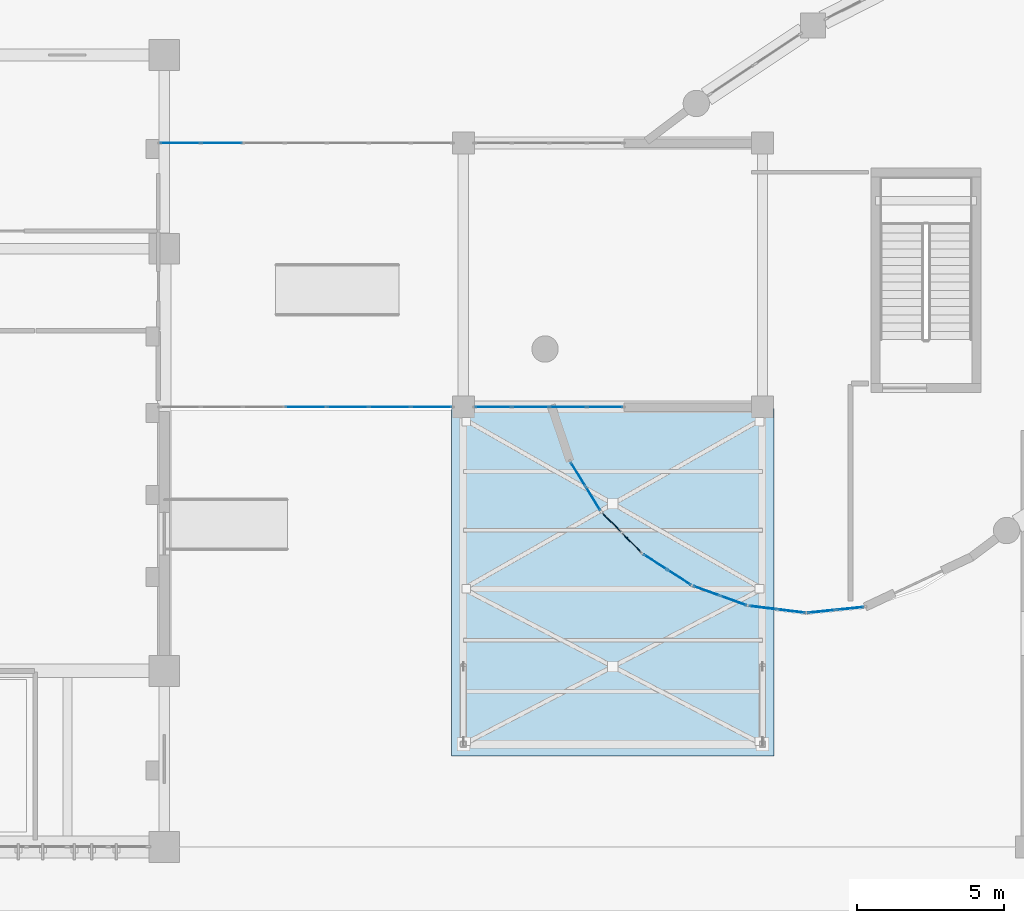
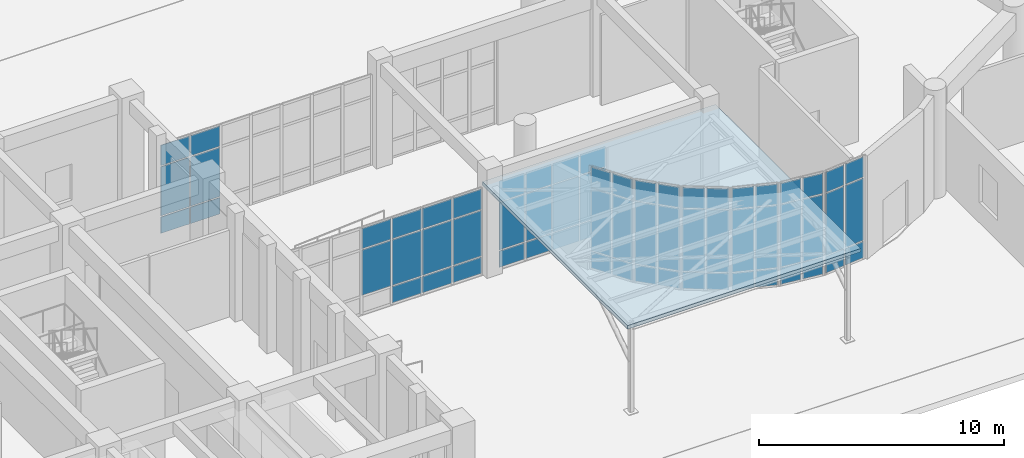
# One storey, part 37 of 70: 65 plates, 1 slab, 9 elements without a shape of their own.
"""IFC4 building model written with IfcOpenShell, lengths in metres."""

from ifc_helpers import new_model, si_unit, direction, frame, origin, origin_2d, place, context, subcontext, project, spatial, polyline, rectangle, outline, extrude, material, layer, layer_set, type_object, element, aggregate, save


model = new_model("IFC4")

# Units and contexts
model_context = context("Model", 3, precision=1e-05, world=origin(), true_north=direction((0.0, 1.0)))
body_context = subcontext(model_context, "Body", "Model", "MODEL_VIEW")
ifc_project = project(units=[si_unit("LENGTHUNIT", "METRE"), si_unit("AREAUNIT", "SQUARE_METRE"), si_unit("VOLUMEUNIT", "CUBIC_METRE"), si_unit("PLANEANGLEUNIT", "RADIAN"), si_unit("MASSUNIT", "GRAM", prefix="KILO")], contexts=[model_context])

# Site, building, storey
site_placement = place(None, origin())
site = spatial("IfcSite", under=ifc_project, at=site_placement, CompositionType="ELEMENT")
building_placement = place(site_placement, origin())
building = spatial("IfcBuilding", under=site, at=building_placement, Name="Miralva Faculty of Natural Sciences", CompositionType="ELEMENT")
storey_placement = place(building_placement, origin())
storey = spatial("IfcBuildingStorey", under=building, at=storey_placement, Name="L00", CompositionType="ELEMENT", Elevation=0.0)

# Curtain wall, plates
ifc_material_1 = material(Name="Laminated solar-control glass", Category="glass")
ifc_layer_1 = layer(ifc_material_1, 0.179931640625, Name="CW-RND-L00")
ifc_layer_set_1 = layer_set([ifc_layer_1], Name="Laminated solar-control glass")
curtain_wall_type_1 = type_object("IfcCurtainWallType", Name="CW-RND-L00", PredefinedType="USERDEFINED", material=ifc_layer_set_1)
curtain_wall_1_placement = place(storey_placement, origin())
curtain_wall_1 = element("IfcCurtainWall", 1, at=curtain_wall_1_placement, inside=storey, type_object=curtain_wall_type_1, Name="Curtain wall CW-04 L00-15", ObjectType="UNITISED CURTAIN WALL", PredefinedType="USERDEFINED")
ifc_layer_2 = layer(ifc_material_1, 0.028076171875, Name="PNL-P01")
ifc_layer_set_2 = layer_set([ifc_layer_2], Name="Laminated solar-control glass")
plate_type = type_object("IfcPlateType", Name="PNL-P01", PredefinedType="CURTAIN_PANEL", material=ifc_layer_set_2)
plate_1_placement = place(storey_placement, frame((58.41455078125, 11.0302734375, 0.06005859375), z_axis=(0.0, 0.0, 1.0), x_axis=(0.994778604482, 0.102056494477, 0.0)))
plate_1 = element("IfcPlate", 2, at=plate_1_placement, type_object=plate_type, Name="CW-04 panel 1.1", PredefinedType="CURTAIN_PANEL", context=body_context, shape_type="SweptSolid", body=[
    extrude(rectangle(XDim=0.912841796875, YDim=0.028076171875, at=origin_2d()), origin(), (0.0, 0.0, 1.0), 0.81005859375),
])
plate_2_placement = place(storey_placement, frame((58.41455078125, 11.0302734375, 0.93017578125), z_axis=(0.0, 0.0, 1.0), x_axis=(0.994778604482, 0.102056494477, 0.0)))
plate_2 = element("IfcPlate", 3, at=plate_2_placement, type_object=plate_type, Name="CW-04 panel 1.2", PredefinedType="CURTAIN_PANEL", context=body_context, shape_type="SweptSolid", body=[
    extrude(rectangle(XDim=0.912841796875, YDim=0.028076171875, at=origin_2d()), origin(), (0.0, 0.0, 1.0), 3.090087890625),
])
plate_3_placement = place(storey_placement, frame((58.41455078125, 11.0302734375, 4.080078125), z_axis=(0.0, 0.0, 1.0), x_axis=(0.994778604482, 0.102056494477, 0.0)))
plate_3 = element("IfcPlate", 4, at=plate_3_placement, type_object=plate_type, Name="CW-04 panel 1.3", PredefinedType="CURTAIN_PANEL", context=body_context, shape_type="SweptSolid", body=[
    extrude(rectangle(XDim=0.912841796875, YDim=0.028076171875, at=origin_2d()), origin(), (0.0, 0.0, 1.0), 1.010009765625),
])
plate_4_placement = place(storey_placement, frame((59.386962890625, 11.1298828125, 0.06005859375), z_axis=(0.0, 0.0, 1.0), x_axis=(0.994778604482, 0.102056494477, 0.0)))
plate_4 = element("IfcPlate", 5, at=plate_4_placement, type_object=plate_type, Name="CW-04 panel 2.1", PredefinedType="CURTAIN_PANEL", context=body_context, shape_type="SweptSolid", body=[
    extrude(rectangle(XDim=0.912841796875, YDim=0.028076171875, at=origin_2d()), origin(), (0.0, 0.0, 1.0), 0.81005859375),
])
plate_5_placement = place(storey_placement, frame((59.386962890625, 11.1298828125, 0.93017578125), z_axis=(0.0, 0.0, 1.0), x_axis=(0.994778604482, 0.102056494477, 0.0)))
plate_5 = element("IfcPlate", 6, at=plate_5_placement, type_object=plate_type, Name="CW-04 panel 2.2", PredefinedType="CURTAIN_PANEL", context=body_context, shape_type="SweptSolid", body=[
    extrude(rectangle(XDim=0.912841796875, YDim=0.028076171875, at=origin_2d()), origin(), (0.0, 0.0, 1.0), 3.090087890625),
])
plate_6_placement = place(storey_placement, frame((59.386962890625, 11.1298828125, 4.080078125), z_axis=(0.0, 0.0, 1.0), x_axis=(0.994778604482, 0.102056494477, 0.0)))
plate_6 = element("IfcPlate", 7, at=plate_6_placement, type_object=plate_type, Name="CW-04 panel 2.3", PredefinedType="CURTAIN_PANEL", context=body_context, shape_type="SweptSolid", body=[
    extrude(rectangle(XDim=0.912841796875, YDim=0.028076171875, at=origin_2d()), origin(), (0.0, 0.0, 1.0), 1.010009765625),
])
aggregate(curtain_wall_1, [plate_1, plate_2, plate_3, plate_4, plate_5, plate_6])

curtain_wall_2_placement = place(storey_placement, origin())
curtain_wall_2 = element("IfcCurtainWall", 8, at=curtain_wall_2_placement, inside=storey, type_object=curtain_wall_type_1, Name="Curtain wall CW-04 L00-16", ObjectType="UNITISED CURTAIN WALL", PredefinedType="USERDEFINED")
plate_7_placement = place(storey_placement, frame((56.412841796875, 11.1591796875, 0.06005859375), z_axis=(0.0, 0.0, 1.0), x_axis=(0.99254734183, -0.121859649701, 0.0)))
plate_7 = element("IfcPlate", 9, at=plate_7_placement, type_object=plate_type, Name="CW-04 panel 1.1", PredefinedType="CURTAIN_PANEL", context=body_context, shape_type="SweptSolid", body=[
    extrude(rectangle(XDim=0.91259765625, YDim=0.028076171875, at=origin_2d()), origin(), (0.0, 0.0, 1.0), 0.81005859375),
])
plate_8_placement = place(storey_placement, frame((56.412841796875, 11.1591796875, 0.93017578125), z_axis=(0.0, 0.0, 1.0), x_axis=(0.99254734183, -0.121859649701, 0.0)))
plate_8 = element("IfcPlate", 10, at=plate_8_placement, type_object=plate_type, Name="CW-04 panel 1.2", PredefinedType="CURTAIN_PANEL", context=body_context, shape_type="SweptSolid", body=[
    extrude(rectangle(XDim=0.91259765625, YDim=0.028076171875, at=origin_2d()), origin(), (0.0, 0.0, 1.0), 3.090087890625),
])
plate_9_placement = place(storey_placement, frame((56.412841796875, 11.1591796875, 4.080078125), z_axis=(0.0, 0.0, 1.0), x_axis=(0.99254734183, -0.121859649701, 0.0)))
plate_9 = element("IfcPlate", 11, at=plate_9_placement, type_object=plate_type, Name="CW-04 panel 1.3", PredefinedType="CURTAIN_PANEL", context=body_context, shape_type="SweptSolid", body=[
    extrude(rectangle(XDim=0.91259765625, YDim=0.028076171875, at=origin_2d()), origin(), (0.0, 0.0, 1.0), 1.010009765625),
])
plate_10_placement = place(storey_placement, frame((57.38330078125, 11.0400390625, 0.06005859375), z_axis=(0.0, 0.0, 1.0), x_axis=(0.99254734183, -0.121859649701, 0.0)))
plate_10 = element("IfcPlate", 12, at=plate_10_placement, type_object=plate_type, Name="CW-04 panel 2.1", PredefinedType="CURTAIN_PANEL", context=body_context, shape_type="SweptSolid", body=[
    extrude(rectangle(XDim=0.91259765625, YDim=0.028076171875, at=origin_2d()), origin(), (0.0, 0.0, 1.0), 0.81005859375),
])
plate_11_placement = place(storey_placement, frame((57.38330078125, 11.0400390625, 0.93017578125), z_axis=(0.0, 0.0, 1.0), x_axis=(0.99254734183, -0.121859649701, 0.0)))
plate_11 = element("IfcPlate", 13, at=plate_11_placement, type_object=plate_type, Name="CW-04 panel 2.2", PredefinedType="CURTAIN_PANEL", context=body_context, shape_type="SweptSolid", body=[
    extrude(rectangle(XDim=0.91259765625, YDim=0.028076171875, at=origin_2d()), origin(), (0.0, 0.0, 1.0), 3.090087890625),
])
plate_12_placement = place(storey_placement, frame((57.38330078125, 11.0400390625, 4.080078125), z_axis=(0.0, 0.0, 1.0), x_axis=(0.99254734183, -0.121859649701, 0.0)))
plate_12 = element("IfcPlate", 14, at=plate_12_placement, type_object=plate_type, Name="CW-04 panel 2.3", PredefinedType="CURTAIN_PANEL", context=body_context, shape_type="SweptSolid", body=[
    extrude(rectangle(XDim=0.91259765625, YDim=0.028076171875, at=origin_2d()), origin(), (0.0, 0.0, 1.0), 1.010009765625),
])
aggregate(curtain_wall_2, [plate_7, plate_8, plate_9, plate_10, plate_11, plate_12])

curtain_wall_3_placement = place(storey_placement, origin())
curtain_wall_3 = element("IfcCurtainWall", 15, at=curtain_wall_3_placement, inside=storey, type_object=curtain_wall_type_1, Name="Curtain wall CW-04 L00-17", ObjectType="UNITISED CURTAIN WALL", PredefinedType="USERDEFINED")
plate_13_placement = place(storey_placement, frame((54.490234375, 11.730224609375, 0.06005859375), z_axis=(0.0, 0.0, 1.0), x_axis=(0.940535451088, -0.339695547876, 0.0)))
plate_13 = element("IfcPlate", 16, at=plate_13_placement, type_object=plate_type, Name="CW-04 panel 1.1", PredefinedType="CURTAIN_PANEL", context=body_context, shape_type="SweptSolid", body=[
    extrude(rectangle(XDim=0.91259765625, YDim=0.028076171875, at=origin_2d()), origin(), (0.0, 0.0, 1.0), 0.81005859375),
])
plate_14_placement = place(storey_placement, frame((54.490234375, 11.730224609375, 0.93017578125), z_axis=(0.0, 0.0, 1.0), x_axis=(0.940535451088, -0.339695547876, 0.0)))
plate_14 = element("IfcPlate", 17, at=plate_14_placement, type_object=plate_type, Name="CW-04 panel 1.2", PredefinedType="CURTAIN_PANEL", context=body_context, shape_type="SweptSolid", body=[
    extrude(rectangle(XDim=0.91259765625, YDim=0.028076171875, at=origin_2d()), origin(), (0.0, 0.0, 1.0), 3.090087890625),
])
plate_15_placement = place(storey_placement, frame((54.490234375, 11.730224609375, 4.080078125), z_axis=(0.0, 0.0, 1.0), x_axis=(0.940535451088, -0.339695547876, 0.0)))
plate_15 = element("IfcPlate", 18, at=plate_15_placement, type_object=plate_type, Name="CW-04 panel 1.3", PredefinedType="CURTAIN_PANEL", context=body_context, shape_type="SweptSolid", body=[
    extrude(rectangle(XDim=0.91259765625, YDim=0.028076171875, at=origin_2d()), origin(), (0.0, 0.0, 1.0), 1.010009765625),
])
plate_16_placement = place(storey_placement, frame((55.409912109375, 11.39794921875, 0.06005859375), z_axis=(0.0, 0.0, 1.0), x_axis=(0.940535451088, -0.339695547876, 0.0)))
plate_16 = element("IfcPlate", 19, at=plate_16_placement, type_object=plate_type, Name="CW-04 panel 2.1", PredefinedType="CURTAIN_PANEL", context=body_context, shape_type="SweptSolid", body=[
    extrude(rectangle(XDim=0.91259765625, YDim=0.028076171875, at=origin_2d()), origin(), (0.0, 0.0, 1.0), 0.81005859375),
])
plate_17_placement = place(storey_placement, frame((55.409912109375, 11.39794921875, 0.93017578125), z_axis=(0.0, 0.0, 1.0), x_axis=(0.940535451088, -0.339695547876, 0.0)))
plate_17 = element("IfcPlate", 20, at=plate_17_placement, type_object=plate_type, Name="CW-04 panel 2.2", PredefinedType="CURTAIN_PANEL", context=body_context, shape_type="SweptSolid", body=[
    extrude(rectangle(XDim=0.91259765625, YDim=0.028076171875, at=origin_2d()), origin(), (0.0, 0.0, 1.0), 3.090087890625),
])
plate_18_placement = place(storey_placement, frame((55.409912109375, 11.39794921875, 4.080078125), z_axis=(0.0, 0.0, 1.0), x_axis=(0.940535451088, -0.339695547876, 0.0)))
plate_18 = element("IfcPlate", 21, at=plate_18_placement, type_object=plate_type, Name="CW-04 panel 2.3", PredefinedType="CURTAIN_PANEL", context=body_context, shape_type="SweptSolid", body=[
    extrude(rectangle(XDim=0.91259765625, YDim=0.028076171875, at=origin_2d()), origin(), (0.0, 0.0, 1.0), 1.010009765625),
])
aggregate(curtain_wall_3, [plate_13, plate_14, plate_15, plate_16, plate_17, plate_18])

curtain_wall_4_placement = place(storey_placement, origin())
curtain_wall_4 = element("IfcCurtainWall", 22, at=curtain_wall_4_placement, inside=storey, type_object=curtain_wall_type_1, Name="Curtain wall CW-04 L00-18", ObjectType="UNITISED CURTAIN WALL", PredefinedType="USERDEFINED")
plate_19_placement = place(storey_placement, frame((52.742919921875, 12.714599609375, 0.06005859375), z_axis=(0.0, 0.0, 1.0), x_axis=(0.841379438185, -0.540444854725, 0.0)))
plate_19 = element("IfcPlate", 23, at=plate_19_placement, type_object=plate_type, Name="CW-04 panel 1.1", PredefinedType="CURTAIN_PANEL", context=body_context, shape_type="SweptSolid", body=[
    extrude(rectangle(XDim=0.91259765625, YDim=0.028076171875, at=origin_2d()), origin(), (0.0, 0.0, 1.0), 0.81005859375),
])
plate_20_placement = place(storey_placement, frame((52.742919921875, 12.714599609375, 0.93017578125), z_axis=(0.0, 0.0, 1.0), x_axis=(0.841379438185, -0.540444854725, 0.0)))
plate_20 = element("IfcPlate", 24, at=plate_20_placement, type_object=plate_type, Name="CW-04 panel 1.2", PredefinedType="CURTAIN_PANEL", context=body_context, shape_type="SweptSolid", body=[
    extrude(rectangle(XDim=0.91259765625, YDim=0.028076171875, at=origin_2d()), origin(), (0.0, 0.0, 1.0), 3.090087890625),
])
plate_21_placement = place(storey_placement, frame((52.742919921875, 12.714599609375, 4.080078125), z_axis=(0.0, 0.0, 1.0), x_axis=(0.841379438185, -0.540444854725, 0.0)))
plate_21 = element("IfcPlate", 25, at=plate_21_placement, type_object=plate_type, Name="CW-04 panel 1.3", PredefinedType="CURTAIN_PANEL", context=body_context, shape_type="SweptSolid", body=[
    extrude(rectangle(XDim=0.91259765625, YDim=0.028076171875, at=origin_2d()), origin(), (0.0, 0.0, 1.0), 1.010009765625),
])
plate_22_placement = place(storey_placement, frame((53.565673828125, 12.186279296875, 0.06005859375), z_axis=(0.0, 0.0, 1.0), x_axis=(0.841379438185, -0.540444854725, 0.0)))
plate_22 = element("IfcPlate", 26, at=plate_22_placement, type_object=plate_type, Name="CW-04 panel 2.1", PredefinedType="CURTAIN_PANEL", context=body_context, shape_type="SweptSolid", body=[
    extrude(rectangle(XDim=0.91259765625, YDim=0.028076171875, at=origin_2d()), origin(), (0.0, 0.0, 1.0), 0.81005859375),
])
plate_23_placement = place(storey_placement, frame((53.565673828125, 12.186279296875, 0.93017578125), z_axis=(0.0, 0.0, 1.0), x_axis=(0.841379438185, -0.540444854725, 0.0)))
plate_23 = element("IfcPlate", 27, at=plate_23_placement, type_object=plate_type, Name="CW-04 panel 2.2", PredefinedType="CURTAIN_PANEL", context=body_context, shape_type="SweptSolid", body=[
    extrude(rectangle(XDim=0.91259765625, YDim=0.028076171875, at=origin_2d()), origin(), (0.0, 0.0, 1.0), 3.090087890625),
])
plate_24_placement = place(storey_placement, frame((53.565673828125, 12.186279296875, 4.080078125), z_axis=(0.0, 0.0, 1.0), x_axis=(0.841379438185, -0.540444854725, 0.0)))
plate_24 = element("IfcPlate", 28, at=plate_24_placement, type_object=plate_type, Name="CW-04 panel 2.3", PredefinedType="CURTAIN_PANEL", context=body_context, shape_type="SweptSolid", body=[
    extrude(rectangle(XDim=0.91259765625, YDim=0.028076171875, at=origin_2d()), origin(), (0.0, 0.0, 1.0), 1.010009765625),
])
aggregate(curtain_wall_4, [plate_19, plate_20, plate_21, plate_22, plate_23, plate_24])

curtain_wall_5_placement = place(storey_placement, origin())
curtain_wall_5 = element("IfcCurtainWall", 29, at=curtain_wall_5_placement, inside=storey, type_object=curtain_wall_type_1, Name="Curtain wall CW-04 L00-19", ObjectType="UNITISED CURTAIN WALL", PredefinedType="USERDEFINED")
plate_25_placement = place(storey_placement, frame((51.258544921875, 14.063232421875, 0.06005859375), z_axis=(0.0, 0.0, 1.0), x_axis=(0.700018458929, -0.714124749017, 0.0)))
plate_25 = element("IfcPlate", 30, at=plate_25_placement, type_object=plate_type, Name="CW-04 panel 1.1", PredefinedType="CURTAIN_PANEL", context=body_context, shape_type="SweptSolid", body=[
    extrude(rectangle(XDim=0.91259765625, YDim=0.028076171875, at=origin_2d()), origin(), (0.0, 0.0, 1.0), 0.81005859375),
])
plate_26_placement = place(storey_placement, frame((51.258544921875, 14.063232421875, 0.93017578125), z_axis=(0.0, 0.0, 1.0), x_axis=(0.700018458929, -0.714124749017, 0.0)))
plate_26 = element("IfcPlate", 31, at=plate_26_placement, type_object=plate_type, Name="CW-04 panel 1.2", PredefinedType="CURTAIN_PANEL", context=body_context, shape_type="SweptSolid", body=[
    extrude(rectangle(XDim=0.91259765625, YDim=0.028076171875, at=origin_2d()), origin(), (0.0, 0.0, 1.0), 3.090087890625),
])
plate_27_placement = place(storey_placement, frame((51.258544921875, 14.063232421875, 4.080078125), z_axis=(0.0, 0.0, 1.0), x_axis=(0.700018458929, -0.714124749017, 0.0)))
plate_27 = element("IfcPlate", 32, at=plate_27_placement, type_object=plate_type, Name="CW-04 panel 1.3", PredefinedType="CURTAIN_PANEL", context=body_context, shape_type="SweptSolid", body=[
    extrude(rectangle(XDim=0.91259765625, YDim=0.028076171875, at=origin_2d()), origin(), (0.0, 0.0, 1.0), 1.010009765625),
])
plate_28_placement = place(storey_placement, frame((51.94287109375, 13.364990234375, 0.06005859375), z_axis=(0.0, 0.0, 1.0), x_axis=(0.700018458929, -0.714124749017, 0.0)))
plate_28 = element("IfcPlate", 33, at=plate_28_placement, type_object=plate_type, Name="CW-04 panel 2.1", PredefinedType="CURTAIN_PANEL", context=body_context, shape_type="SweptSolid", body=[
    extrude(rectangle(XDim=0.91259765625, YDim=0.028076171875, at=origin_2d()), origin(), (0.0, 0.0, 1.0), 0.81005859375),
])
plate_29_placement = place(storey_placement, frame((51.94287109375, 13.364990234375, 0.93017578125), z_axis=(0.0, 0.0, 1.0), x_axis=(0.700018458929, -0.714124749017, 0.0)))
plate_29 = element("IfcPlate", 34, at=plate_29_placement, type_object=plate_type, Name="CW-04 panel 2.2", PredefinedType="CURTAIN_PANEL", context=body_context, shape_type="SweptSolid", body=[
    extrude(rectangle(XDim=0.91259765625, YDim=0.028076171875, at=origin_2d()), origin(), (0.0, 0.0, 1.0), 3.090087890625),
])
plate_30_placement = place(storey_placement, frame((51.94287109375, 13.364990234375, 4.080078125), z_axis=(0.0, 0.0, 1.0), x_axis=(0.700018458929, -0.714124749017, 0.0)))
plate_30 = element("IfcPlate", 35, at=plate_30_placement, type_object=plate_type, Name="CW-04 panel 2.3", PredefinedType="CURTAIN_PANEL", context=body_context, shape_type="SweptSolid", body=[
    extrude(rectangle(XDim=0.91259765625, YDim=0.028076171875, at=origin_2d()), origin(), (0.0, 0.0, 1.0), 1.010009765625),
])
aggregate(curtain_wall_5, [plate_25, plate_26, plate_27, plate_28, plate_29, plate_30])

curtain_wall_6_placement = place(storey_placement, origin())
curtain_wall_6 = element("IfcCurtainWall", 36, at=curtain_wall_6_placement, inside=storey, type_object=curtain_wall_type_1, Name="Curtain wall CW-04 L00-20", ObjectType="UNITISED CURTAIN WALL", PredefinedType="USERDEFINED")
plate_31_placement = place(storey_placement, frame((50.111328125, 15.70849609375, 0.06005859375), z_axis=(0.0, 0.0, 1.0), x_axis=(0.523550543884, -0.851994617353, 0.0)))
plate_31 = element("IfcPlate", 37, at=plate_31_placement, type_object=plate_type, Name="CW-04 panel 1.1", PredefinedType="CURTAIN_PANEL", context=body_context, shape_type="SweptSolid", body=[
    extrude(rectangle(XDim=0.91259765625, YDim=0.028076171875, at=origin_2d()), origin(), (0.0, 0.0, 1.0), 0.81005859375),
])
plate_32_placement = place(storey_placement, frame((50.111328125, 15.70849609375, 0.93017578125), z_axis=(0.0, 0.0, 1.0), x_axis=(0.523550543884, -0.851994617353, 0.0)))
plate_32 = element("IfcPlate", 38, at=plate_32_placement, type_object=plate_type, Name="CW-04 panel 1.2", PredefinedType="CURTAIN_PANEL", context=body_context, shape_type="SweptSolid", body=[
    extrude(rectangle(XDim=0.91259765625, YDim=0.028076171875, at=origin_2d()), origin(), (0.0, 0.0, 1.0), 3.090087890625),
])
plate_33_placement = place(storey_placement, frame((50.111328125, 15.70849609375, 4.080078125), z_axis=(0.0, 0.0, 1.0), x_axis=(0.523550543884, -0.851994617353, 0.0)))
plate_33 = element("IfcPlate", 39, at=plate_33_placement, type_object=plate_type, Name="CW-04 panel 1.3", PredefinedType="CURTAIN_PANEL", context=body_context, shape_type="SweptSolid", body=[
    extrude(rectangle(XDim=0.91259765625, YDim=0.028076171875, at=origin_2d()), origin(), (0.0, 0.0, 1.0), 1.010009765625),
])
plate_34_placement = place(storey_placement, frame((50.623046875, 14.87548828125, 0.06005859375), z_axis=(0.0, 0.0, 1.0), x_axis=(0.523550543884, -0.851994617353, 0.0)))
plate_34 = element("IfcPlate", 40, at=plate_34_placement, type_object=plate_type, Name="CW-04 panel 2.1", PredefinedType="CURTAIN_PANEL", context=body_context, shape_type="SweptSolid", body=[
    extrude(rectangle(XDim=0.91259765625, YDim=0.028076171875, at=origin_2d()), origin(), (0.0, 0.0, 1.0), 0.81005859375),
])
plate_35_placement = place(storey_placement, frame((50.623046875, 14.87548828125, 0.93017578125), z_axis=(0.0, 0.0, 1.0), x_axis=(0.523550543884, -0.851994617353, 0.0)))
plate_35 = element("IfcPlate", 41, at=plate_35_placement, type_object=plate_type, Name="CW-04 panel 2.2", PredefinedType="CURTAIN_PANEL", context=body_context, shape_type="SweptSolid", body=[
    extrude(rectangle(XDim=0.91259765625, YDim=0.028076171875, at=origin_2d()), origin(), (0.0, 0.0, 1.0), 3.090087890625),
])
plate_36_placement = place(storey_placement, frame((50.623046875, 14.87548828125, 4.080078125), z_axis=(0.0, 0.0, 1.0), x_axis=(0.523550543884, -0.851994617353, 0.0)))
plate_36 = element("IfcPlate", 42, at=plate_36_placement, type_object=plate_type, Name="CW-04 panel 2.3", PredefinedType="CURTAIN_PANEL", context=body_context, shape_type="SweptSolid", body=[
    extrude(rectangle(XDim=0.91259765625, YDim=0.028076171875, at=origin_2d()), origin(), (0.0, 0.0, 1.0), 1.010009765625),
])
aggregate(curtain_wall_6, [plate_31, plate_32, plate_33, plate_34, plate_35, plate_36])

ifc_layer_3 = layer(ifc_material_1, 0.179931640625, Name="CW-COM-L01")
ifc_layer_set_3 = layer_set([ifc_layer_3], Name="Laminated solar-control glass")
curtain_wall_type_2 = type_object("IfcCurtainWallType", Name="CW-COM-L01", PredefinedType="USERDEFINED", material=ifc_layer_set_3)
curtain_wall_7_placement = place(storey_placement, origin())
curtain_wall_7 = element("IfcCurtainWall", 43, at=curtain_wall_7_placement, inside=storey, type_object=curtain_wall_type_2, Name="Curtain wall CW-10 L00-282", ObjectType="UNITISED CURTAIN WALL", PredefinedType="USERDEFINED")
plate_37_placement = place(storey_placement, frame((40.830078125, 18.0, 0.93017578125), z_axis=(0.0, 0.0, 1.0), x_axis=(1.0, 0.0, 0.0)))
plate_37 = element("IfcPlate", 44, at=plate_37_placement, type_object=plate_type, Name="CW-10 panel 4.2", PredefinedType="CURTAIN_PANEL", context=body_context, shape_type="SweptSolid", body=[
    extrude(rectangle(XDim=1.372802734375, YDim=0.028076171875, at=origin_2d()), origin(), (0.0, 0.0, 1.0), 2.264892578125),
])
plate_38_placement = place(storey_placement, frame((40.830078125, 18.0, 3.2548828125), z_axis=(0.0, 0.0, 1.0), x_axis=(1.0, 0.0, 0.0)))
plate_38 = element("IfcPlate", 45, at=plate_38_placement, type_object=plate_type, Name="CW-10 panel 4.3", PredefinedType="CURTAIN_PANEL", context=body_context, shape_type="SweptSolid", body=[
    extrude(rectangle(XDim=1.372802734375, YDim=0.028076171875, at=origin_2d()), origin(), (0.0, 0.0, 1.0), 1.010009765625),
])
plate_39_placement = place(storey_placement, frame((42.262939453125, 18.0, 0.06005859375), z_axis=(0.0, 0.0, 1.0), x_axis=(1.0, 0.0, 0.0)))
plate_39 = element("IfcPlate", 46, at=plate_39_placement, type_object=plate_type, Name="CW-10 panel 5.1", PredefinedType="CURTAIN_PANEL", context=body_context, shape_type="SweptSolid", body=[
    extrude(rectangle(XDim=1.372802734375, YDim=0.028076171875, at=origin_2d()), origin(), (0.0, 0.0, 1.0), 0.81005859375),
])
plate_40_placement = place(storey_placement, frame((42.262939453125, 18.0, 0.93017578125), z_axis=(0.0, 0.0, 1.0), x_axis=(1.0, 0.0, 0.0)))
plate_40 = element("IfcPlate", 47, at=plate_40_placement, type_object=plate_type, Name="CW-10 panel 5.2", PredefinedType="CURTAIN_PANEL", context=body_context, shape_type="SweptSolid", body=[
    extrude(rectangle(XDim=1.372802734375, YDim=0.028076171875, at=origin_2d()), origin(), (0.0, 0.0, 1.0), 2.264892578125),
])
plate_41_placement = place(storey_placement, frame((42.262939453125, 18.0, 3.2548828125), z_axis=(0.0, 0.0, 1.0), x_axis=(1.0, 0.0, 0.0)))
plate_41 = element("IfcPlate", 48, at=plate_41_placement, type_object=plate_type, Name="CW-10 panel 5.3", PredefinedType="CURTAIN_PANEL", context=body_context, shape_type="SweptSolid", body=[
    extrude(rectangle(XDim=1.372802734375, YDim=0.028076171875, at=origin_2d()), origin(), (0.0, 0.0, 1.0), 1.010009765625),
])
plate_42_placement = place(storey_placement, frame((43.69580078125, 18.0, 0.06005859375), z_axis=(0.0, 0.0, 1.0), x_axis=(1.0, 0.0, 0.0)))
plate_42 = element("IfcPlate", 49, at=plate_42_placement, type_object=plate_type, Name="CW-10 panel 6.1", PredefinedType="CURTAIN_PANEL", context=body_context, shape_type="SweptSolid", body=[
    extrude(rectangle(XDim=1.372802734375, YDim=0.028076171875, at=origin_2d()), origin(), (0.0, 0.0, 1.0), 0.81005859375),
])
plate_43_placement = place(storey_placement, frame((43.69580078125, 18.0, 0.93017578125), z_axis=(0.0, 0.0, 1.0), x_axis=(1.0, 0.0, 0.0)))
plate_43 = element("IfcPlate", 50, at=plate_43_placement, type_object=plate_type, Name="CW-10 panel 6.2", PredefinedType="CURTAIN_PANEL", context=body_context, shape_type="SweptSolid", body=[
    extrude(rectangle(XDim=1.372802734375, YDim=0.028076171875, at=origin_2d()), origin(), (0.0, 0.0, 1.0), 2.264892578125),
])
plate_44_placement = place(storey_placement, frame((43.69580078125, 18.0, 3.2548828125), z_axis=(0.0, 0.0, 1.0), x_axis=(1.0, 0.0, 0.0)))
plate_44 = element("IfcPlate", 51, at=plate_44_placement, type_object=plate_type, Name="CW-10 panel 6.3", PredefinedType="CURTAIN_PANEL", context=body_context, shape_type="SweptSolid", body=[
    extrude(rectangle(XDim=1.372802734375, YDim=0.028076171875, at=origin_2d()), origin(), (0.0, 0.0, 1.0), 1.010009765625),
])
plate_45_placement = place(storey_placement, frame((45.113525390625, 18.0, 0.06005859375), z_axis=(0.0, 0.0, 1.0), x_axis=(1.0, 0.0, 0.0)))
plate_45 = element("IfcPlate", 52, at=plate_45_placement, type_object=plate_type, Name="CW-10 panel 7.1", PredefinedType="CURTAIN_PANEL", context=body_context, shape_type="SweptSolid", body=[
    extrude(rectangle(XDim=1.3427734375, YDim=0.028076171875, at=origin_2d()), origin(), (0.0, 0.0, 1.0), 0.81005859375),
])
plate_46_placement = place(storey_placement, frame((45.113525390625, 18.0, 0.93017578125), z_axis=(0.0, 0.0, 1.0), x_axis=(1.0, 0.0, 0.0)))
plate_46 = element("IfcPlate", 53, at=plate_46_placement, type_object=plate_type, Name="CW-10 panel 7.2", PredefinedType="CURTAIN_PANEL", context=body_context, shape_type="SweptSolid", body=[
    extrude(rectangle(XDim=1.3427734375, YDim=0.028076171875, at=origin_2d()), origin(), (0.0, 0.0, 1.0), 2.264892578125),
])
plate_47_placement = place(storey_placement, frame((45.113525390625, 18.0, 3.2548828125), z_axis=(0.0, 0.0, 1.0), x_axis=(1.0, 0.0, 0.0)))
plate_47 = element("IfcPlate", 54, at=plate_47_placement, type_object=plate_type, Name="CW-10 panel 7.3", PredefinedType="CURTAIN_PANEL", context=body_context, shape_type="SweptSolid", body=[
    extrude(rectangle(XDim=1.3427734375, YDim=0.028076171875, at=origin_2d()), origin(), (0.0, 0.0, 1.0), 1.010009765625),
])
aggregate(curtain_wall_7, [plate_37, plate_38, plate_39, plate_40, plate_41, plate_42, plate_43, plate_44, plate_45, plate_46, plate_47])

curtain_wall_8_placement = place(storey_placement, origin())
curtain_wall_8 = element("IfcCurtainWall", 55, at=curtain_wall_8_placement, inside=storey, type_object=curtain_wall_type_2, Name="Curtain wall CW-10 L00-283", ObjectType="UNITISED CURTAIN WALL", PredefinedType="USERDEFINED")
plate_48_placement = place(storey_placement, frame((47.219482421875, 18.0, 0.06005859375), z_axis=(0.0, 0.0, 1.0), x_axis=(1.0, 0.0, 0.0)))
plate_48 = element("IfcPlate", 56, at=plate_48_placement, type_object=plate_type, Name="CW-10 panel 1.1", PredefinedType="CURTAIN_PANEL", context=body_context, shape_type="SweptSolid", body=[
    extrude(rectangle(XDim=1.188720703125, YDim=0.028076171875, at=origin_2d()), origin(), (0.0, 0.0, 1.0), 0.81005859375),
])
plate_49_placement = place(storey_placement, frame((47.219482421875, 18.0, 0.93017578125), z_axis=(0.0, 0.0, 1.0), x_axis=(1.0, 0.0, 0.0)))
plate_49 = element("IfcPlate", 57, at=plate_49_placement, type_object=plate_type, Name="CW-10 panel 1.2", PredefinedType="CURTAIN_PANEL", context=body_context, shape_type="SweptSolid", body=[
    extrude(rectangle(XDim=1.188720703125, YDim=0.028076171875, at=origin_2d()), origin(), (0.0, 0.0, 1.0), 2.344970703125),
])
plate_50_placement = place(storey_placement, frame((47.219482421875, 18.0, 3.3349609375), z_axis=(0.0, 0.0, 1.0), x_axis=(1.0, 0.0, 0.0)))
plate_50 = element("IfcPlate", 58, at=plate_50_placement, type_object=plate_type, Name="CW-10 panel 1.3", PredefinedType="CURTAIN_PANEL", context=body_context, shape_type="SweptSolid", body=[
    extrude(rectangle(XDim=1.188720703125, YDim=0.028076171875, at=origin_2d()), origin(), (0.0, 0.0, 1.0), 1.010009765625),
])
plate_51_placement = place(storey_placement, frame((48.483154296875, 18.0, 0.06005859375), z_axis=(0.0, 0.0, 1.0), x_axis=(1.0, 0.0, 0.0)))
plate_51 = element("IfcPlate", 59, at=plate_51_placement, type_object=plate_type, Name="CW-10 panel 2.1", PredefinedType="CURTAIN_PANEL", context=body_context, shape_type="SweptSolid", body=[
    extrude(rectangle(XDim=1.21875, YDim=0.028076171875, at=origin_2d()), origin(), (0.0, 0.0, 1.0), 0.81005859375),
])
plate_52_placement = place(storey_placement, frame((48.483154296875, 18.0, 0.93017578125), z_axis=(0.0, 0.0, 1.0), x_axis=(1.0, 0.0, 0.0)))
plate_52 = element("IfcPlate", 60, at=plate_52_placement, type_object=plate_type, Name="CW-10 panel 2.2", PredefinedType="CURTAIN_PANEL", context=body_context, shape_type="SweptSolid", body=[
    extrude(rectangle(XDim=1.21875, YDim=0.028076171875, at=origin_2d()), origin(), (0.0, 0.0, 1.0), 2.344970703125),
])
plate_53_placement = place(storey_placement, frame((48.483154296875, 18.0, 3.3349609375), z_axis=(0.0, 0.0, 1.0), x_axis=(1.0, 0.0, 0.0)))
plate_53 = element("IfcPlate", 61, at=plate_53_placement, type_object=plate_type, Name="CW-10 panel 2.3", PredefinedType="CURTAIN_PANEL", context=body_context, shape_type="SweptSolid", body=[
    extrude(rectangle(XDim=1.21875, YDim=0.028076171875, at=origin_2d()), origin(), (0.0, 0.0, 1.0), 1.010009765625),
])
plate_54_placement = place(storey_placement, frame((49.761962890625, 18.0, 0.06005859375), z_axis=(0.0, 0.0, 1.0), x_axis=(1.0, 0.0, 0.0)))
plate_54 = element("IfcPlate", 62, at=plate_54_placement, type_object=plate_type, Name="CW-10 panel 3.1", PredefinedType="CURTAIN_PANEL", context=body_context, shape_type="SweptSolid", body=[
    extrude(rectangle(XDim=1.21875, YDim=0.028076171875, at=origin_2d()), origin(), (0.0, 0.0, 1.0), 0.81005859375),
])
plate_55_placement = place(storey_placement, frame((49.761962890625, 18.0, 0.93017578125), z_axis=(0.0, 0.0, 1.0), x_axis=(1.0, 0.0, 0.0)))
plate_55 = element("IfcPlate", 63, at=plate_55_placement, type_object=plate_type, Name="CW-10 panel 3.2", PredefinedType="CURTAIN_PANEL", context=body_context, shape_type="SweptSolid", body=[
    extrude(rectangle(XDim=1.21875, YDim=0.028076171875, at=origin_2d()), origin(), (0.0, 0.0, 1.0), 2.344970703125),
])
plate_56_placement = place(storey_placement, frame((49.761962890625, 18.0, 3.3349609375), z_axis=(0.0, 0.0, 1.0), x_axis=(1.0, 0.0, 0.0)))
plate_56 = element("IfcPlate", 64, at=plate_56_placement, type_object=plate_type, Name="CW-10 panel 3.3", PredefinedType="CURTAIN_PANEL", context=body_context, shape_type="SweptSolid", body=[
    extrude(rectangle(XDim=1.21875, YDim=0.028076171875, at=origin_2d()), origin(), (0.0, 0.0, 1.0), 1.010009765625),
])
plate_57_placement = place(storey_placement, frame((51.025634765625, 18.0, 0.06005859375), z_axis=(0.0, 0.0, 1.0), x_axis=(1.0, 0.0, 0.0)))
plate_57 = element("IfcPlate", 65, at=plate_57_placement, type_object=plate_type, Name="CW-10 panel 4.1", PredefinedType="CURTAIN_PANEL", context=body_context, shape_type="SweptSolid", body=[
    extrude(rectangle(XDim=1.188720703125, YDim=0.028076171875, at=origin_2d()), origin(), (0.0, 0.0, 1.0), 0.81005859375),
])
plate_58_placement = place(storey_placement, frame((51.025634765625, 18.0, 0.93017578125), z_axis=(0.0, 0.0, 1.0), x_axis=(1.0, 0.0, 0.0)))
plate_58 = element("IfcPlate", 66, at=plate_58_placement, type_object=plate_type, Name="CW-10 panel 4.2", PredefinedType="CURTAIN_PANEL", context=body_context, shape_type="SweptSolid", body=[
    extrude(rectangle(XDim=1.188720703125, YDim=0.028076171875, at=origin_2d()), origin(), (0.0, 0.0, 1.0), 2.344970703125),
])
plate_59_placement = place(storey_placement, frame((51.025634765625, 18.0, 3.3349609375), z_axis=(0.0, 0.0, 1.0), x_axis=(1.0, 0.0, 0.0)))
plate_59 = element("IfcPlate", 67, at=plate_59_placement, type_object=plate_type, Name="CW-10 panel 4.3", PredefinedType="CURTAIN_PANEL", context=body_context, shape_type="SweptSolid", body=[
    extrude(rectangle(XDim=1.188720703125, YDim=0.028076171875, at=origin_2d()), origin(), (0.0, 0.0, 1.0), 1.010009765625),
])
aggregate(curtain_wall_8, [plate_48, plate_49, plate_50, plate_51, plate_52, plate_53, plate_54, plate_55, plate_56, plate_57, plate_58, plate_59])

curtain_wall_9_placement = place(storey_placement, origin())
curtain_wall_9 = element("IfcCurtainWall", 68, at=curtain_wall_9_placement, inside=storey, type_object=curtain_wall_type_2, Name="Curtain wall CW-10 L00-285", ObjectType="UNITISED CURTAIN WALL", PredefinedType="USERDEFINED")
plate_60_placement = place(storey_placement, frame((36.54638671875, 27.0, 0.06005859375), z_axis=(0.0, 0.0, 1.0), x_axis=(1.0, 0.0, 0.0)))
plate_60 = element("IfcPlate", 69, at=plate_60_placement, type_object=plate_type, Name="CW-10 panel 1.1", PredefinedType="CURTAIN_PANEL", context=body_context, shape_type="SweptSolid", body=[
    extrude(rectangle(XDim=1.3427734375, YDim=0.028076171875, at=origin_2d()), origin(), (0.0, 0.0, 1.0), 0.81005859375),
])
plate_61_placement = place(storey_placement, frame((36.54638671875, 27.0, 0.93017578125), z_axis=(0.0, 0.0, 1.0), x_axis=(1.0, 0.0, 0.0)))
plate_61 = element("IfcPlate", 70, at=plate_61_placement, type_object=plate_type, Name="CW-10 panel 1.2", PredefinedType="CURTAIN_PANEL", context=body_context, shape_type="SweptSolid", body=[
    extrude(rectangle(XDim=1.3427734375, YDim=0.028076171875, at=origin_2d()), origin(), (0.0, 0.0, 1.0), 2.445068359375),
])
plate_62_placement = place(storey_placement, frame((36.54638671875, 27.0, 3.43505859375), z_axis=(0.0, 0.0, 1.0), x_axis=(1.0, 0.0, 0.0)))
plate_62 = element("IfcPlate", 71, at=plate_62_placement, type_object=plate_type, Name="CW-10 panel 1.3", PredefinedType="CURTAIN_PANEL", context=body_context, shape_type="SweptSolid", body=[
    extrude(rectangle(XDim=1.3427734375, YDim=0.028076171875, at=origin_2d()), origin(), (0.0, 0.0, 1.0), 1.010009765625),
])
plate_63_placement = place(storey_placement, frame((37.96435546875, 27.0, 0.06005859375), z_axis=(0.0, 0.0, 1.0), x_axis=(1.0, 0.0, 0.0)))
plate_63 = element("IfcPlate", 72, at=plate_63_placement, type_object=plate_type, Name="CW-10 panel 2.1", PredefinedType="CURTAIN_PANEL", context=body_context, shape_type="SweptSolid", body=[
    extrude(rectangle(XDim=1.372802734375, YDim=0.028076171875, at=origin_2d()), origin(), (0.0, 0.0, 1.0), 0.81005859375),
])
plate_64_placement = place(storey_placement, frame((37.96435546875, 27.0, 0.93017578125), z_axis=(0.0, 0.0, 1.0), x_axis=(1.0, 0.0, 0.0)))
plate_64 = element("IfcPlate", 73, at=plate_64_placement, type_object=plate_type, Name="CW-10 panel 2.2", PredefinedType="CURTAIN_PANEL", context=body_context, shape_type="SweptSolid", body=[
    extrude(rectangle(XDim=1.372802734375, YDim=0.028076171875, at=origin_2d()), origin(), (0.0, 0.0, 1.0), 2.445068359375),
])
plate_65_placement = place(storey_placement, frame((37.96435546875, 27.0, 3.43505859375), z_axis=(0.0, 0.0, 1.0), x_axis=(1.0, 0.0, 0.0)))
plate_65 = element("IfcPlate", 74, at=plate_65_placement, type_object=plate_type, Name="CW-10 panel 2.3", PredefinedType="CURTAIN_PANEL", context=body_context, shape_type="SweptSolid", body=[
    extrude(rectangle(XDim=1.372802734375, YDim=0.028076171875, at=origin_2d()), origin(), (0.0, 0.0, 1.0), 1.010009765625),
])
aggregate(curtain_wall_9, [plate_60, plate_61, plate_62, plate_63, plate_64, plate_65])

# Slab
ifc_material_2 = material(Name="Precast concrete C40/50", Category="concrete")
ifc_layer_4 = layer(ifc_material_2, 0.175048828125, Name="SL-CN01")
ifc_layer_set_4 = layer_set([ifc_layer_4], Name="Precast concrete C40/50")
slab_type = type_object("IfcSlabType", Name="SL-CN01", PredefinedType="ROOF", material=ifc_layer_set_4)
slab_placement = place(storey_placement, frame((0.0, 0.0, 4.47509765625)))
element("IfcSlab", 75, at=slab_placement, inside=storey, type_object=slab_type, Name="Main Forecourt Entrance Canopy Roof", PredefinedType="ROOF", context=body_context, shape_type="SweptSolid", body=[
    extrude(outline(polyline([(45.800048828125, 6.10009765625), (56.800048828125, 6.10009765625), (56.800048828125, 17.949951171875), (45.800048828125, 17.949951171875), (45.800048828125, 6.10009765625)])), origin(), (0.0, 0.0, 1.0), 0.1748046875),
])

save(model, "model.ifc")
